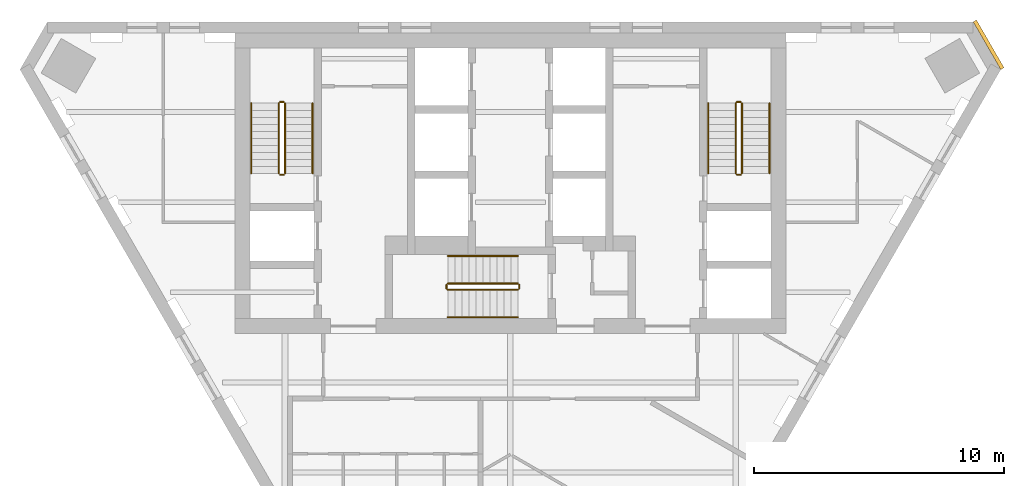
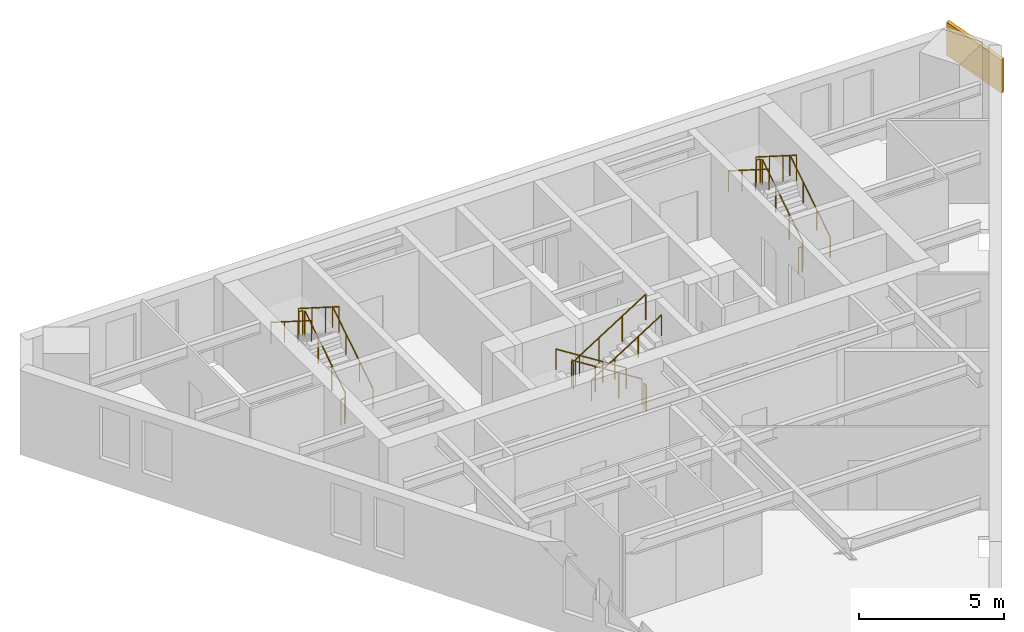
# One storey, part 6 of 6: 18 railings, 1 covering.
"""IFC4 building model written with IfcOpenShell, lengths in metres."""

import ifcopenshell
import ifcopenshell.guid

model = None  # the IFC model being written
_history = None  # IfcOwnerHistory: only IFC2X3 demands one
_inside = {}  # id of a spatial element -> (the spatial element, [elements in it])
_under = {}  # id of a project, library or spatial element -> (it, [spatial elements below it])
_declared = {}  # id of a project -> (the project, [libraries it declares])
_typed = {}  # id of a type object -> (the type object, [elements of that type])
_made_of = {}  # id of a material, layer set ... -> (it, [elements and type objects made of it])


def new_model(schema):
    """Start an empty IFC model of exactly this schema.

    Asked for "IFC4X3", IfcOpenShell would pick the latest addendum, in which some entities
    have other attributes; the version numbers below select the first issue.
    IFC2X3 requires an IfcOwnerHistory on every rooted entity: one is made here for all.
    """
    global model, _history
    if schema == "IFC4X3":
        model = ifcopenshell.file(schema_version=(4, 3, 0, 0))
    else:
        model = ifcopenshell.file(schema=schema)
    _inside.clear()
    _under.clear()
    _declared.clear()
    _typed.clear()
    _made_of.clear()
    _history = None
    if model.schema == "IFC2X3":
        org = make("IfcOrganization", Name="unknown")
        user = make(
            "IfcPersonAndOrganization",
            ThePerson=make("IfcPerson", FamilyName="unknown"),
            TheOrganization=org,
        )
        app = make(
            "IfcApplication",
            ApplicationDeveloper=org,
            Version="unknown",
            ApplicationFullName="unknown",
            ApplicationIdentifier="unknown",
        )
        _history = make(
            "IfcOwnerHistory",
            OwningUser=user,
            OwningApplication=app,
            ChangeAction="ADDED",
            CreationDate=0,
        )
    return model


def make(cls, **values):
    """One entity of the class cls with the attributes given. An attribute that is None is left unset."""
    return model.create_entity(
        cls, **{name: value for name, value in values.items() if value is not None}
    )


def rooted(cls, **values):
    """An entity with a GlobalId (a new one), such as an element, a storey or a relation."""
    return make(cls, GlobalId=ifcopenshell.guid.new(), OwnerHistory=_history, **values)


def si_unit(unit_type, name, prefix=None):
    """IfcSIUnit, for example si_unit("LENGTHUNIT", "METRE", prefix="MILLI")."""
    return make("IfcSIUnit", UnitType=unit_type, Prefix=prefix, Name=name)


def assignment(units):
    """IfcUnitAssignment: the units of a project."""
    return None if units is None else make("IfcUnitAssignment", Units=units)


def point(xyz):
    """IfcCartesianPoint."""
    return None if xyz is None else make("IfcCartesianPoint", Coordinates=xyz)


def direction(xyz):
    """IfcDirection."""
    return None if xyz is None else make("IfcDirection", DirectionRatios=xyz)


def frame(location, z_axis=None, x_axis=None):
    """IfcAxis2Placement3D, a coordinate frame: its origin and axes. An axis left out is left unset."""
    return make(
        "IfcAxis2Placement3D",
        Location=point(location),
        Axis=direction(z_axis),
        RefDirection=direction(x_axis),
    )


def frame_2d(location, x_axis=None):
    """IfcAxis2Placement2D, a coordinate frame in the plane: its origin and x axis."""
    return make(
        "IfcAxis2Placement2D", Location=point(location), RefDirection=direction(x_axis)
    )


def origin():
    """The frame at (0, 0, 0) with its axes left unset."""
    return frame((0.0, 0.0, 0.0))


def origin_2d():
    """The frame at (0, 0) in the plane with its x axis left unset."""
    return frame_2d((0.0, 0.0))


def place(relative_to, where):
    """IfcLocalPlacement: puts the frame where relative to a parent placement (None: the world)."""
    return make(
        "IfcLocalPlacement", PlacementRelTo=relative_to, RelativePlacement=where
    )


def context(
    kind, dimensions, precision=None, world=None, true_north=None, identifier=None
):
    """IfcGeometricRepresentationContext, for example the 3D "Model" context."""
    return make(
        "IfcGeometricRepresentationContext",
        ContextIdentifier=identifier,
        ContextType=kind,
        CoordinateSpaceDimension=dimensions,
        Precision=precision,
        WorldCoordinateSystem=world,
        TrueNorth=true_north,
    )


def subcontext(parent, identifier, kind, view, scale=None):
    """IfcGeometricRepresentationSubContext, for example "Body" below "Model"."""
    return make(
        "IfcGeometricRepresentationSubContext",
        ContextIdentifier=identifier,
        ContextType=kind,
        ParentContext=parent,
        TargetScale=scale,
        TargetView=view,
    )


def project(units=None, contexts=None):
    """IfcProject with its units and contexts."""
    return rooted(
        "IfcProject",
        Name="project",
        RepresentationContexts=contexts,
        UnitsInContext=assignment(units),
    )


def spatial(cls, under=None, at=None, **own):
    """A site, building, storey or space (cls), placed at a placement, below another one or the project."""
    s = rooted(cls, ObjectPlacement=at, **own)
    if under is not None:
        _under.setdefault(under.id(), (under, []))[1].append(s)
    return s


def polyline(points):
    """IfcPolyline through the points."""
    return make("IfcPolyline", Points=[point(p) for p in points])


def profile(cls, at=None, kind="AREA", **sizes):
    """A parametric profile (cls). Its sizes go by their IFC names, for example OverallWidth=200.0."""
    return make(cls, ProfileType=kind, Position=at, **sizes)


def circle(**sizes):
    """IfcCircleProfileDef."""
    return profile("IfcCircleProfileDef", **sizes)


def outline(outer, holes=None, kind="AREA"):
    """IfcArbitraryClosedProfileDef: a profile drawn as a closed curve; with holes, ...WithVoids."""
    if holes is None:
        return make("IfcArbitraryClosedProfileDef", ProfileType=kind, OuterCurve=outer)
    return make(
        "IfcArbitraryProfileDefWithVoids",
        ProfileType=kind,
        OuterCurve=outer,
        InnerCurves=holes,
    )


def extrude(swept, where, along, depth):
    """IfcExtrudedAreaSolid: the profile swept, set in the frame where, extruded along a direction by depth."""
    return make(
        "IfcExtrudedAreaSolid",
        SweptArea=swept,
        Position=where,
        ExtrudedDirection=direction(along),
        Depth=depth,
    )


def shape(context_of_items, identifier, shape_type, items):
    """IfcShapeRepresentation: the items that make up one representation, for example the "Body"."""
    return make(
        "IfcShapeRepresentation",
        ContextOfItems=context_of_items,
        RepresentationIdentifier=identifier,
        RepresentationType=shape_type,
        Items=items,
    )


def material(Name=None, Category=None):
    """IfcMaterial."""
    return make("IfcMaterial", Name=Name, Category=Category)


def layer(
    of_material, thickness, ventilated=None, Name=None, Category=None, Priority=None
):
    """IfcMaterialLayer: one layer of a wall or slab, of a material (None: an air gap)."""
    return make(
        "IfcMaterialLayer",
        Material=of_material,
        LayerThickness=thickness,
        IsVentilated=ventilated,
        Name=Name,
        Category=Category,
        Priority=Priority,
    )


def layer_set(layers, Name=None):
    """IfcMaterialLayerSet."""
    return make("IfcMaterialLayerSet", MaterialLayers=layers, LayerSetName=Name)


def made_of(thing, what):
    """Note that an element or type object is made of a material, layer set ...; save() writes the relation."""
    if what is not None:
        _made_of.setdefault(what.id(), (what, []))[1].append(thing)
    return thing


def type_object(cls, material=None, **own):
    """A type object (cls), such as IfcWallType, which elements share."""
    return made_of(rooted(cls, **own), material)


def element(
    cls,
    number,
    at=None,
    inside=None,
    cuts=None,
    type_object=None,
    material=None,
    context=None,
    identifier="Body",
    shape_type=None,
    held_by="IfcProductDefinitionShape",
    body=None,
    shapes=None,
    **own,
):
    """One element of the class cls, such as IfcWall. Its Tag is "e" and its number.

    at: its placement. inside: the storey or other place that contains it. cuts: it is an
    opening in that element (IfcRelVoidsElement). A single representation is given by context,
    identifier, shape_type and body (its items); several are given by shapes. held_by: the class
    of the entity that holds the representations. save() writes the other relations.
    """
    e = rooted(cls, Tag="e%d" % number, ObjectPlacement=at, **own)
    if body is not None:
        shapes = [shape(context, identifier, shape_type, body)]
    if shapes is not None:
        e.Representation = make(held_by, Representations=shapes)
    if inside is not None:
        _inside.setdefault(inside.id(), (inside, []))[1].append(e)
    if cuts is not None:
        rooted(
            "IfcRelVoidsElement", RelatingBuildingElement=cuts, RelatedOpeningElement=e
        )
    if type_object is not None:
        _typed.setdefault(type_object.id(), (type_object, []))[1].append(e)
    return made_of(e, material)


def aggregate(whole, parts):
    """IfcRelAggregates: a whole, such as a stair, and the parts it consists of."""
    return rooted("IfcRelAggregates", RelatingObject=whole, RelatedObjects=parts)


def save(model, path):
    """Write the relations noted so far, then the file.

    IfcRelAggregates (storeys below a building ...), IfcRelContainedInSpatialStructure (elements
    in a storey), IfcRelDefinesByType, IfcRelAssociatesMaterial and IfcRelDeclares: one each for
    every whole, place, type object, material and project.
    """
    for whole, parts in _under.values():
        aggregate(whole, parts)
    for where, things in _inside.values():
        rooted(
            "IfcRelContainedInSpatialStructure",
            RelatedElements=things,
            RelatingStructure=where,
        )
    for kind, things in _typed.values():
        rooted("IfcRelDefinesByType", RelatedObjects=things, RelatingType=kind)
    for what, things in _made_of.values():
        rooted("IfcRelAssociatesMaterial", RelatedObjects=things, RelatingMaterial=what)
    for by, libraries in _declared.values():
        rooted("IfcRelDeclares", RelatingContext=by, RelatedDefinitions=libraries)
    model.write(path)


model = new_model("IFC4")

# Units and contexts
model_context = context("Model", 3, precision=1e-05, world=origin(), true_north=direction((0.0, 1.0)))
body_context = subcontext(model_context, "Body", "Model", "MODEL_VIEW")
ifc_project = project(units=[si_unit("LENGTHUNIT", "METRE"), si_unit("AREAUNIT", "SQUARE_METRE"), si_unit("VOLUMEUNIT", "CUBIC_METRE"), si_unit("PLANEANGLEUNIT", "RADIAN"), si_unit("MASSUNIT", "GRAM", prefix="KILO")], contexts=[model_context])

# Site, building, storey
site_placement = place(None, origin())
site = spatial("IfcSite", under=ifc_project, at=site_placement, CompositionType="ELEMENT")
building_placement = place(site_placement, origin())
building = spatial("IfcBuilding", under=site, at=building_placement, Name="Aloe Facet Convention Tower", CompositionType="ELEMENT")
storey_placement = place(building_placement, frame((0.0, 0.0, 281.60009765625)))
storey = spatial("IfcBuildingStorey", under=building, at=storey_placement, Name="L69", CompositionType="ELEMENT", Elevation=281.60009765625)

# Railings
ifc_material_1 = material(Name="Steel S355 balustrade", Category="steel")
railing_type_1 = type_object("IfcRailingType", Name="CR-RL-GUARD", PredefinedType="GUARDRAIL", material=ifc_material_1)
railing_1_placement = place(storey_placement, frame((71.0, 128.949951171875, 0.17724609375)))
element("IfcRailing", 1, at=railing_1_placement, inside=storey, type_object=railing_type_1, Name="L69 ST1 stair guard 1", PredefinedType="GUARDRAIL", context=body_context, shape_type="SweptSolid", body=[
    extrude(circle(Radius=0.02392578125, at=origin_2d()), frame((0.0, 0.0, 1.076171875), z_axis=(0.0, 0.844908973607, 0.534910110503), x_axis=(-1.0, 0.0, 0.0)), (0.0, 0.0, 1.0), 3.31396484375),
    extrude(circle(Radius=0.02099609375, at=origin_2d()), origin(), (0.0, 0.0, 1.0), 1.052001953125),
    extrude(circle(Radius=0.02099609375, at=origin_2d()), frame((0.0, 0.933349609375, 0.5908203125)), (0.0, 0.0, 1.0), 1.052001953125),
    extrude(circle(Radius=0.02099609375, at=origin_2d()), frame((0.0, 1.86669921875, 1.181884765625)), (0.0, 0.0, 1.0), 1.052001953125),
    extrude(circle(Radius=0.02099609375, at=origin_2d()), frame((0.0, 2.800048828125, 1.772705078125)), (0.0, 0.0, 1.0), 1.052001953125),
])
railing_2_placement = place(storey_placement, frame((70.949951171875, 131.800048828125, 1.949951171875)))
element("IfcRailing", 2, at=railing_2_placement, inside=storey, type_object=railing_type_1, Name="L69 ST1 stair guard 2", PredefinedType="GUARDRAIL", context=body_context, shape_type="SweptSolid", body=[
    extrude(circle(Radius=0.02392578125, at=origin_2d()), frame((0.0, 0.0, 1.076171875), z_axis=(-1.0, 0.0, 0.0), x_axis=(0.0, -1.0, 0.0)), (0.0, 0.0, 1.0), 0.14990234375),
    extrude(circle(Radius=0.02099609375, at=origin_2d()), origin(), (0.0, 0.0, 1.0), 1.052001953125),
    extrude(circle(Radius=0.02099609375, at=origin_2d()), frame((-0.14990234375, 0.0, 0.0)), (0.0, 0.0, 1.0), 1.052001953125),
])
railing_3_placement = place(storey_placement, frame((70.75, 131.75, 2.127197265625)))
element("IfcRailing", 3, at=railing_3_placement, inside=storey, type_object=railing_type_1, Name="L69 ST1 stair guard 3", PredefinedType="GUARDRAIL", context=body_context, shape_type="SweptSolid", body=[
    extrude(circle(Radius=0.02392578125, at=origin_2d()), frame((0.0, 0.0, 1.076171875), z_axis=(0.0, -0.844908973607, 0.534910110503), x_axis=(1.0, 0.0, 0.0)), (0.0, 0.0, 1.0), 3.31396484375),
    extrude(circle(Radius=0.02099609375, at=origin_2d()), origin(), (0.0, 0.0, 1.0), 1.052001953125),
    extrude(circle(Radius=0.02099609375, at=origin_2d()), frame((0.0, -0.933349609375, 0.5908203125)), (0.0, 0.0, 1.0), 1.052001953125),
    extrude(circle(Radius=0.02099609375, at=origin_2d()), frame((0.0, -1.86669921875, 1.181884765625)), (0.0, 0.0, 1.0), 1.052001953125),
    extrude(circle(Radius=0.02099609375, at=origin_2d()), frame((0.0, -2.800048828125, 1.772705078125)), (0.0, 0.0, 1.0), 1.052001953125),
])
railing_4_placement = place(storey_placement, frame((70.949951171875, 128.89990234375, 0.0)))
element("IfcRailing", 4, at=railing_4_placement, inside=storey, type_object=railing_type_1, Name="L69 ST1 stair guard 4", PredefinedType="GUARDRAIL", context=body_context, shape_type="SweptSolid", body=[
    extrude(circle(Radius=0.02392578125, at=origin_2d()), frame((0.0, 0.0, 1.076171875), z_axis=(-1.0, 0.0, 0.0), x_axis=(0.0, -1.0, 0.0)), (0.0, 0.0, 1.0), 0.14990234375),
    extrude(circle(Radius=0.02099609375, at=origin_2d()), origin(), (0.0, 0.0, 1.0), 1.052001953125),
    extrude(circle(Radius=0.02099609375, at=origin_2d()), frame((-0.14990234375, 0.0, 0.0)), (0.0, 0.0, 1.0), 1.052001953125),
])
railing_5_placement = place(storey_placement, frame((89.25, 128.949951171875, 0.17724609375)))
element("IfcRailing", 5, at=railing_5_placement, inside=storey, type_object=railing_type_1, Name="L69 ST2 stair guard 1", PredefinedType="GUARDRAIL", context=body_context, shape_type="SweptSolid", body=[
    extrude(circle(Radius=0.02392578125, at=origin_2d()), frame((0.0, 0.0, 1.076171875), z_axis=(0.0, 0.844908973607, 0.534910110503), x_axis=(-1.0, 0.0, 0.0)), (0.0, 0.0, 1.0), 3.31396484375),
    extrude(circle(Radius=0.02099609375, at=origin_2d()), origin(), (0.0, 0.0, 1.0), 1.052001953125),
    extrude(circle(Radius=0.02099609375, at=origin_2d()), frame((0.0, 0.933349609375, 0.5908203125)), (0.0, 0.0, 1.0), 1.052001953125),
    extrude(circle(Radius=0.02099609375, at=origin_2d()), frame((0.0, 1.86669921875, 1.181884765625)), (0.0, 0.0, 1.0), 1.052001953125),
    extrude(circle(Radius=0.02099609375, at=origin_2d()), frame((0.0, 2.800048828125, 1.772705078125)), (0.0, 0.0, 1.0), 1.052001953125),
])
railing_6_placement = place(storey_placement, frame((89.199951171875, 131.800048828125, 1.949951171875)))
element("IfcRailing", 6, at=railing_6_placement, inside=storey, type_object=railing_type_1, Name="L69 ST2 stair guard 2", PredefinedType="GUARDRAIL", context=body_context, shape_type="SweptSolid", body=[
    extrude(circle(Radius=0.02392578125, at=origin_2d()), frame((0.0, 0.0, 1.076171875), z_axis=(-1.0, 0.0, 0.0), x_axis=(0.0, -1.0, 0.0)), (0.0, 0.0, 1.0), 0.14990234375),
    extrude(circle(Radius=0.02099609375, at=origin_2d()), origin(), (0.0, 0.0, 1.0), 1.052001953125),
    extrude(circle(Radius=0.02099609375, at=origin_2d()), frame((-0.14990234375, 0.0, 0.0)), (0.0, 0.0, 1.0), 1.052001953125),
])
railing_7_placement = place(storey_placement, frame((89.0, 131.75, 2.127197265625)))
element("IfcRailing", 7, at=railing_7_placement, inside=storey, type_object=railing_type_1, Name="L69 ST2 stair guard 3", PredefinedType="GUARDRAIL", context=body_context, shape_type="SweptSolid", body=[
    extrude(circle(Radius=0.02392578125, at=origin_2d()), frame((0.0, 0.0, 1.076171875), z_axis=(0.0, -0.844908973607, 0.534910110503), x_axis=(1.0, 0.0, 0.0)), (0.0, 0.0, 1.0), 3.31396484375),
    extrude(circle(Radius=0.02099609375, at=origin_2d()), origin(), (0.0, 0.0, 1.0), 1.052001953125),
    extrude(circle(Radius=0.02099609375, at=origin_2d()), frame((0.0, -0.933349609375, 0.5908203125)), (0.0, 0.0, 1.0), 1.052001953125),
    extrude(circle(Radius=0.02099609375, at=origin_2d()), frame((0.0, -1.86669921875, 1.181884765625)), (0.0, 0.0, 1.0), 1.052001953125),
    extrude(circle(Radius=0.02099609375, at=origin_2d()), frame((0.0, -2.800048828125, 1.772705078125)), (0.0, 0.0, 1.0), 1.052001953125),
])
railing_8_placement = place(storey_placement, frame((89.199951171875, 128.89990234375, 0.0)))
element("IfcRailing", 8, at=railing_8_placement, inside=storey, type_object=railing_type_1, Name="L69 ST2 stair guard 4", PredefinedType="GUARDRAIL", context=body_context, shape_type="SweptSolid", body=[
    extrude(circle(Radius=0.02392578125, at=origin_2d()), frame((0.0, 0.0, 1.076171875), z_axis=(-1.0, 0.0, 0.0), x_axis=(0.0, -1.0, 0.0)), (0.0, 0.0, 1.0), 0.14990234375),
    extrude(circle(Radius=0.02099609375, at=origin_2d()), origin(), (0.0, 0.0, 1.0), 1.052001953125),
    extrude(circle(Radius=0.02099609375, at=origin_2d()), frame((-0.14990234375, 0.0, 0.0)), (0.0, 0.0, 1.0), 1.052001953125),
])
railing_9_placement = place(storey_placement, frame((80.300048828125, 124.550048828125, 0.17724609375)))
element("IfcRailing", 9, at=railing_9_placement, inside=storey, type_object=railing_type_1, Name="L69 ST3 stair guard 1", PredefinedType="GUARDRAIL", context=body_context, shape_type="SweptSolid", body=[
    extrude(circle(Radius=0.02392578125, at=origin_2d()), frame((0.0, 0.0, 1.076171875), z_axis=(-0.844908973607, 0.0, 0.534910110503), x_axis=(0.0, -1.0, 0.0)), (0.0, 0.0, 1.0), 3.31396484375),
    extrude(circle(Radius=0.02099609375, at=origin_2d()), origin(), (0.0, 0.0, 1.0), 1.052001953125),
    extrude(circle(Radius=0.02099609375, at=origin_2d()), frame((-0.933349609375, 0.0, 0.5908203125)), (0.0, 0.0, 1.0), 1.052001953125),
    extrude(circle(Radius=0.02099609375, at=origin_2d()), frame((-1.86669921875, 0.0, 1.181884765625)), (0.0, 0.0, 1.0), 1.052001953125),
    extrude(circle(Radius=0.02099609375, at=origin_2d()), frame((-2.800048828125, 0.0, 1.772705078125)), (0.0, 0.0, 1.0), 1.052001953125),
])
railing_10_placement = place(storey_placement, frame((77.449951171875, 124.5, 1.949951171875)))
element("IfcRailing", 10, at=railing_10_placement, inside=storey, type_object=railing_type_1, Name="L69 ST3 stair guard 2", PredefinedType="GUARDRAIL", context=body_context, shape_type="SweptSolid", body=[
    extrude(circle(Radius=0.02392578125, at=origin_2d()), frame((0.0, 0.0, 1.076171875), z_axis=(0.0, -1.0, 0.0), x_axis=(1.0, 0.0, 0.0)), (0.0, 0.0, 1.0), 0.14990234375),
    extrude(circle(Radius=0.02099609375, at=origin_2d()), origin(), (0.0, 0.0, 1.0), 1.052001953125),
    extrude(circle(Radius=0.02099609375, at=origin_2d()), frame((0.0, -0.14990234375, 0.0)), (0.0, 0.0, 1.0), 1.052001953125),
])
railing_11_placement = place(storey_placement, frame((77.5, 124.300048828125, 2.127197265625)))
element("IfcRailing", 11, at=railing_11_placement, inside=storey, type_object=railing_type_1, Name="L69 ST3 stair guard 3", PredefinedType="GUARDRAIL", context=body_context, shape_type="SweptSolid", body=[
    extrude(circle(Radius=0.02392578125, at=origin_2d()), frame((0.0, 0.0, 1.076171875), z_axis=(0.844908973607, 0.0, 0.534910110503), x_axis=(0.0, 1.0, 0.0)), (0.0, 0.0, 1.0), 3.31396484375),
    extrude(circle(Radius=0.02099609375, at=origin_2d()), origin(), (0.0, 0.0, 1.0), 1.052001953125),
    extrude(circle(Radius=0.02099609375, at=origin_2d()), frame((0.933349609375, 0.0, 0.5908203125)), (0.0, 0.0, 1.0), 1.052001953125),
    extrude(circle(Radius=0.02099609375, at=origin_2d()), frame((1.86669921875, 0.0, 1.181884765625)), (0.0, 0.0, 1.0), 1.052001953125),
    extrude(circle(Radius=0.02099609375, at=origin_2d()), frame((2.800048828125, 0.0, 1.772705078125)), (0.0, 0.0, 1.0), 1.052001953125),
])
railing_12_placement = place(storey_placement, frame((80.35009765625, 124.5, 0.0)))
element("IfcRailing", 12, at=railing_12_placement, inside=storey, type_object=railing_type_1, Name="L69 ST3 stair guard 4", PredefinedType="GUARDRAIL", context=body_context, shape_type="SweptSolid", body=[
    extrude(circle(Radius=0.02392578125, at=origin_2d()), frame((0.0, 0.0, 1.076171875), z_axis=(0.0, -1.0, 0.0), x_axis=(1.0, 0.0, 0.0)), (0.0, 0.0, 1.0), 0.14990234375),
    extrude(circle(Radius=0.02099609375, at=origin_2d()), origin(), (0.0, 0.0, 1.0), 1.052001953125),
    extrude(circle(Radius=0.02099609375, at=origin_2d()), frame((0.0, -0.14990234375, 0.0)), (0.0, 0.0, 1.0), 1.052001953125),
])
ifc_material_2 = material(Name="Steel S355 handrail", Category="steel")
railing_type_2 = type_object("IfcRailingType", Name="CR-RL-HAND", PredefinedType="HANDRAIL", material=ifc_material_2)
railing_13_placement = place(storey_placement, frame((72.10009765625, 128.949951171875, 0.17724609375)))
element("IfcRailing", 13, at=railing_13_placement, inside=storey, type_object=railing_type_2, Name="L69 ST1 stair handrail 1", PredefinedType="HANDRAIL", context=body_context, shape_type="SweptSolid", body=[
    extrude(circle(Radius=0.02392578125, at=origin_2d()), frame((0.0, 0.0, 0.8759765625), z_axis=(0.0, 0.844908973607, 0.534910110503), x_axis=(-1.0, 0.0, 0.0)), (0.0, 0.0, 1.0), 3.31396484375),
    extrude(circle(Radius=0.02099609375, at=origin_2d()), origin(), (0.0, 0.0, 1.0), 0.851806640625),
    extrude(circle(Radius=0.02099609375, at=origin_2d()), frame((0.0, 0.933349609375, 0.5908203125)), (0.0, 0.0, 1.0), 0.851806640625),
    extrude(circle(Radius=0.02099609375, at=origin_2d()), frame((0.0, 1.86669921875, 1.181884765625)), (0.0, 0.0, 1.0), 0.851806640625),
    extrude(circle(Radius=0.02099609375, at=origin_2d()), frame((0.0, 2.800048828125, 1.772705078125)), (0.0, 0.0, 1.0), 0.851806640625),
])
railing_14_placement = place(storey_placement, frame((69.64990234375, 131.75, 2.127197265625)))
element("IfcRailing", 14, at=railing_14_placement, inside=storey, type_object=railing_type_2, Name="L69 ST1 stair handrail 2", PredefinedType="HANDRAIL", context=body_context, shape_type="SweptSolid", body=[
    extrude(circle(Radius=0.02392578125, at=origin_2d()), frame((0.0, 0.0, 0.8759765625), z_axis=(0.0, -0.844908973607, 0.534910110503), x_axis=(1.0, 0.0, 0.0)), (0.0, 0.0, 1.0), 3.31396484375),
    extrude(circle(Radius=0.02099609375, at=origin_2d()), origin(), (0.0, 0.0, 1.0), 0.851806640625),
    extrude(circle(Radius=0.02099609375, at=origin_2d()), frame((0.0, -0.933349609375, 0.5908203125)), (0.0, 0.0, 1.0), 0.851806640625),
    extrude(circle(Radius=0.02099609375, at=origin_2d()), frame((0.0, -1.86669921875, 1.181884765625)), (0.0, 0.0, 1.0), 0.851806640625),
    extrude(circle(Radius=0.02099609375, at=origin_2d()), frame((0.0, -2.800048828125, 1.772705078125)), (0.0, 0.0, 1.0), 0.851806640625),
])
railing_15_placement = place(storey_placement, frame((90.35009765625, 128.949951171875, 0.17724609375)))
element("IfcRailing", 15, at=railing_15_placement, inside=storey, type_object=railing_type_2, Name="L69 ST2 stair handrail 1", PredefinedType="HANDRAIL", context=body_context, shape_type="SweptSolid", body=[
    extrude(circle(Radius=0.02392578125, at=origin_2d()), frame((0.0, 0.0, 0.8759765625), z_axis=(0.0, 0.844908973607, 0.534910110503), x_axis=(-1.0, 0.0, 0.0)), (0.0, 0.0, 1.0), 3.31396484375),
    extrude(circle(Radius=0.02099609375, at=origin_2d()), origin(), (0.0, 0.0, 1.0), 0.851806640625),
    extrude(circle(Radius=0.02099609375, at=origin_2d()), frame((0.0, 0.933349609375, 0.5908203125)), (0.0, 0.0, 1.0), 0.851806640625),
    extrude(circle(Radius=0.02099609375, at=origin_2d()), frame((0.0, 1.86669921875, 1.181884765625)), (0.0, 0.0, 1.0), 0.851806640625),
    extrude(circle(Radius=0.02099609375, at=origin_2d()), frame((0.0, 2.800048828125, 1.772705078125)), (0.0, 0.0, 1.0), 0.851806640625),
])
railing_16_placement = place(storey_placement, frame((87.89990234375, 131.75, 2.127197265625)))
element("IfcRailing", 16, at=railing_16_placement, inside=storey, type_object=railing_type_2, Name="L69 ST2 stair handrail 2", PredefinedType="HANDRAIL", context=body_context, shape_type="SweptSolid", body=[
    extrude(circle(Radius=0.02392578125, at=origin_2d()), frame((0.0, 0.0, 0.8759765625), z_axis=(0.0, -0.844908973607, 0.534910110503), x_axis=(1.0, 0.0, 0.0)), (0.0, 0.0, 1.0), 3.31396484375),
    extrude(circle(Radius=0.02099609375, at=origin_2d()), origin(), (0.0, 0.0, 1.0), 0.851806640625),
    extrude(circle(Radius=0.02099609375, at=origin_2d()), frame((0.0, -0.933349609375, 0.5908203125)), (0.0, 0.0, 1.0), 0.851806640625),
    extrude(circle(Radius=0.02099609375, at=origin_2d()), frame((0.0, -1.86669921875, 1.181884765625)), (0.0, 0.0, 1.0), 0.851806640625),
    extrude(circle(Radius=0.02099609375, at=origin_2d()), frame((0.0, -2.800048828125, 1.772705078125)), (0.0, 0.0, 1.0), 0.851806640625),
])
railing_17_placement = place(storey_placement, frame((80.300048828125, 125.64990234375, 0.17724609375)))
element("IfcRailing", 17, at=railing_17_placement, inside=storey, type_object=railing_type_2, Name="L69 ST3 stair handrail 1", PredefinedType="HANDRAIL", context=body_context, shape_type="SweptSolid", body=[
    extrude(circle(Radius=0.02392578125, at=origin_2d()), frame((0.0, 0.0, 0.8759765625), z_axis=(-0.844908973607, 0.0, 0.534910110503), x_axis=(0.0, -1.0, 0.0)), (0.0, 0.0, 1.0), 3.31396484375),
    extrude(circle(Radius=0.02099609375, at=origin_2d()), origin(), (0.0, 0.0, 1.0), 0.851806640625),
    extrude(circle(Radius=0.02099609375, at=origin_2d()), frame((-0.933349609375, 0.0, 0.5908203125)), (0.0, 0.0, 1.0), 0.851806640625),
    extrude(circle(Radius=0.02099609375, at=origin_2d()), frame((-1.86669921875, 0.0, 1.181884765625)), (0.0, 0.0, 1.0), 0.851806640625),
    extrude(circle(Radius=0.02099609375, at=origin_2d()), frame((-2.800048828125, 0.0, 1.772705078125)), (0.0, 0.0, 1.0), 0.851806640625),
])
railing_18_placement = place(storey_placement, frame((77.5, 123.199951171875, 2.127197265625)))
element("IfcRailing", 18, at=railing_18_placement, inside=storey, type_object=railing_type_2, Name="L69 ST3 stair handrail 2", PredefinedType="HANDRAIL", context=body_context, shape_type="SweptSolid", body=[
    extrude(circle(Radius=0.02392578125, at=origin_2d()), frame((0.0, 0.0, 0.8759765625), z_axis=(0.844908973607, 0.0, 0.534910110503), x_axis=(0.0, 1.0, 0.0)), (0.0, 0.0, 1.0), 3.31396484375),
    extrude(circle(Radius=0.02099609375, at=origin_2d()), origin(), (0.0, 0.0, 1.0), 0.851806640625),
    extrude(circle(Radius=0.02099609375, at=origin_2d()), frame((0.933349609375, 0.0, 0.5908203125)), (0.0, 0.0, 1.0), 0.851806640625),
    extrude(circle(Radius=0.02099609375, at=origin_2d()), frame((1.86669921875, 0.0, 1.181884765625)), (0.0, 0.0, 1.0), 0.851806640625),
    extrude(circle(Radius=0.02099609375, at=origin_2d()), frame((2.800048828125, 0.0, 1.772705078125)), (0.0, 0.0, 1.0), 0.851806640625),
])

# Covering
ifc_material_3 = material(Name="Bronze oxide fascia sheet")
ifc_layer = layer(ifc_material_3, 0.14990234375)
ifc_layer_set = layer_set([ifc_layer], Name="EV-FASCIA-TERR")
covering_type = type_object("IfcCoveringType", Name="EV-FASCIA-TERR", PredefinedType="CLADDING", material=ifc_layer_set)
covering_placement = place(storey_placement, frame((99.716064453125, 133.169677734375, 1.356689453125), z_axis=(0.866008176907, 0.50002983664, 0.0), x_axis=(-0.466907738677, 0.808643584696, 0.357900428183)))
element("IfcCovering", 19, at=covering_placement, inside=storey, type_object=covering_type, Name="Spiral ribbon zone 5 part 11", PredefinedType="CLADDING", context=body_context, shape_type="SweptSolid", body=[
    extrude(outline(polyline([(0.0, 0.0), (2.3561349815405346, 0.0), (2.8571606297828653, 1.3071724721092073), (0.5011130262765552, 1.3074004407998436), (0.0, 0.0)])), origin(), (0.0, 0.0, -1.0), 0.14990234375),
])

save(model, "model.ifc")
